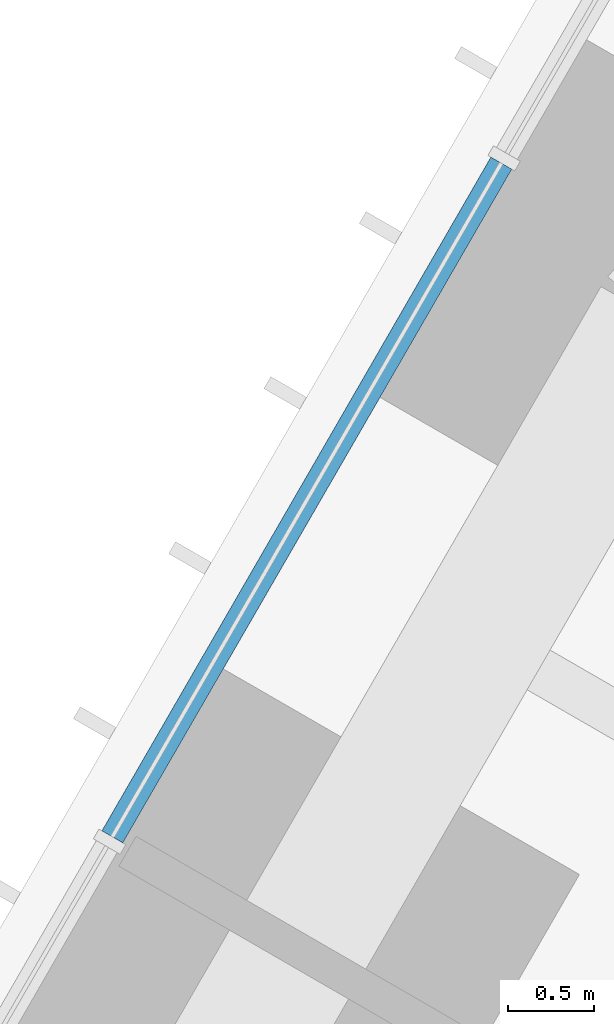
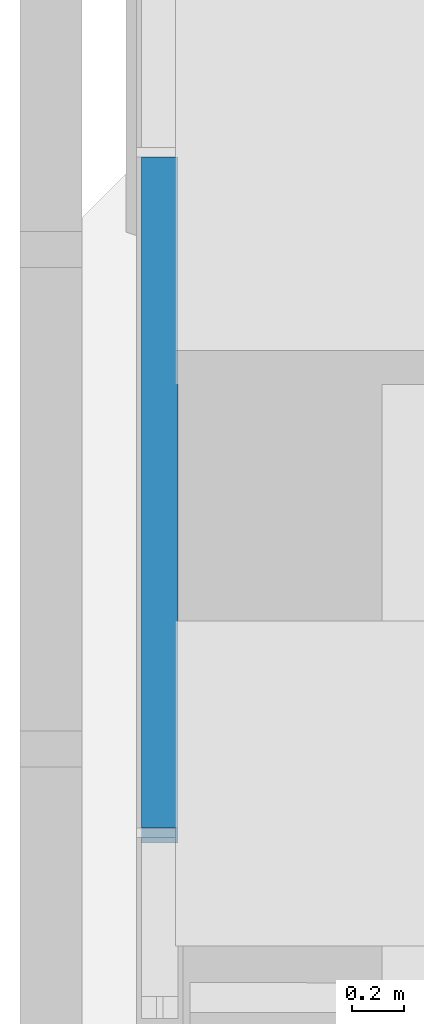
# One storey, part 149 of 256: 1 member, 1 element without a shape of its own.
"""IFC4 building model written with IfcOpenShell, lengths in metres."""

from ifc_helpers import new_model, si_unit, direction, frame, origin, origin_2d, place, context, subcontext, project, spatial, rectangle, extrude, material, material_profile, profile_set, type_object, element, aggregate, save


model = new_model("IFC4")

# Units and contexts
model_context = context("Model", 3, precision=1e-05, world=origin(), true_north=direction((0.0, 1.0)))
body_context = subcontext(model_context, "Body", "Model", "MODEL_VIEW")
ifc_project = project(units=[si_unit("LENGTHUNIT", "METRE"), si_unit("AREAUNIT", "SQUARE_METRE"), si_unit("VOLUMEUNIT", "CUBIC_METRE"), si_unit("PLANEANGLEUNIT", "RADIAN"), si_unit("MASSUNIT", "GRAM", prefix="KILO")], contexts=[model_context])

# Site, building, storey
site_placement = place(None, origin())
site = spatial("IfcSite", under=ifc_project, at=site_placement, CompositionType="ELEMENT")
building_placement = place(site_placement, origin())
building = spatial("IfcBuilding", under=site, at=building_placement, Name="Sandreach Pilgrim Tower", CompositionType="ELEMENT")
storey_placement = place(building_placement, frame((0.0, 0.0, 23.0)))
storey = spatial("IfcBuildingStorey", under=building, at=storey_placement, Name="L04", CompositionType="ELEMENT", Elevation=23.0)

# Curtain wall, member
ifc_material_1 = material(Name="Aluminium framed curtain wall", Category="aluminium")
curtain_wall_type = type_object("IfcCurtainWallType", Name="Hostel tower curtain wall", PredefinedType="NOTDEFINED", material=ifc_material_1)
curtain_wall_placement = place(storey_placement, origin())
curtain_wall = element("IfcCurtainWall", 1, at=curtain_wall_placement, inside=storey, type_object=curtain_wall_type, Name="CW-1 L04 NW", PredefinedType="NOTDEFINED")
ifc_material_2 = material(Name="Aluminium extrusion", Category="aluminium")
ifc_material_profile = material_profile(ifc_material_2, rectangle(XDim=0.139892578125, YDim=0.070068359375, at=origin_2d()), Name="CW-1T 140X70")
ifc_profile_set = profile_set([ifc_material_profile], Name="Aluminium extrusion")
member_type = type_object("IfcMemberType", Name="CW-1 transom", PredefinedType="USERDEFINED", material=ifc_profile_set)
member_placement = place(storey_placement, frame((-25.973876953125, 15.03369140625, 3.60498046875), z_axis=(0.500001366228, 0.866024614991, 0.0), x_axis=(-0.866024614991, 0.500001366228, 0.0)))
member = element("IfcMember", 2, at=member_placement, type_object=member_type, Name="CW-1 head transom 3", ObjectType="TRANSOM", PredefinedType="USERDEFINED", context=body_context, shape_type="SweptSolid", body=[
    extrude(rectangle(XDim=0.139892578125, YDim=0.070068359375, at=origin_2d()), origin(), (0.0, 0.0, 1.0), 4.52099609375),
])
aggregate(curtain_wall, [member])

save(model, "model.ifc")
